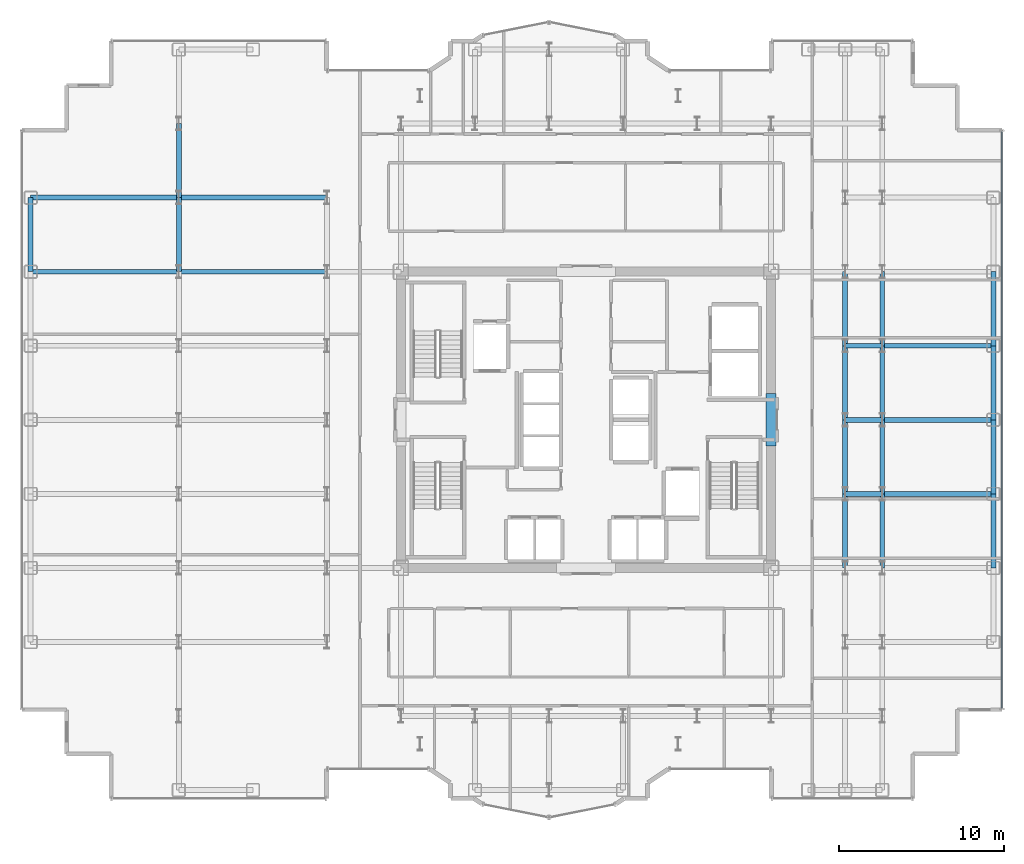
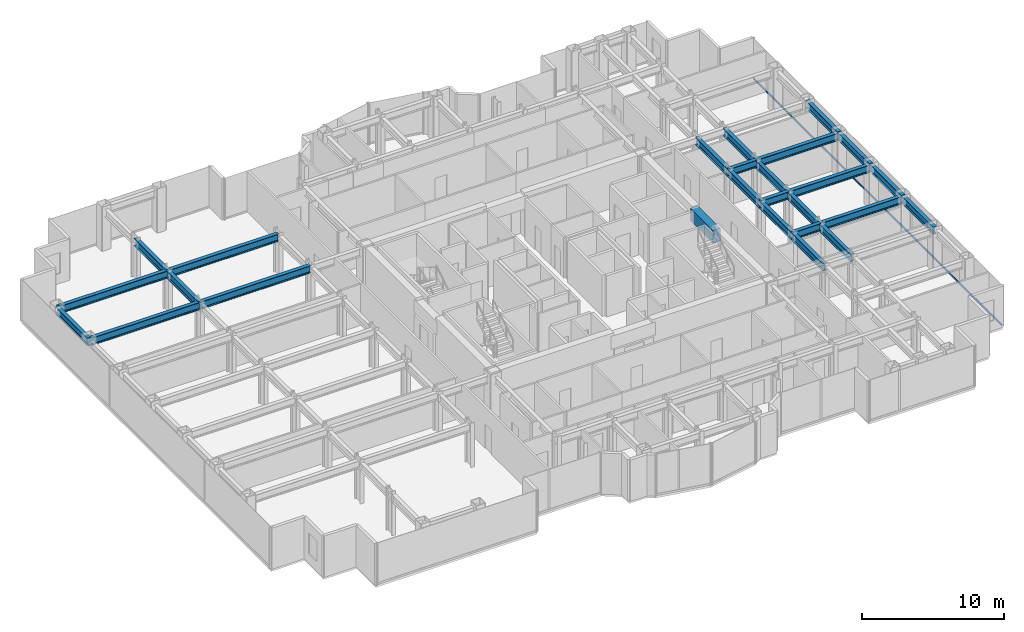
# One storey, part 9 of 23: 26 beams, 1 member, 1 element without a shape of its own.
"""IFC4 building model written with IfcOpenShell, lengths in metres."""

from ifc_helpers import new_model, si_unit, direction, frame, origin, origin_2d, place, context, subcontext, project, spatial, rectangle, hollow_rectangle, i_section, extrude, source, transform, mapped, material, layer, layer_set, material_profile, profile_set, type_object, element, aggregate, save


model = new_model("IFC4")

# Units and contexts
model_context = context("Model", 3, precision=1e-05, world=origin(), true_north=direction((0.0, 1.0)))
body_context = subcontext(model_context, "Body", "Model", "MODEL_VIEW")
ifc_project = project(units=[si_unit("LENGTHUNIT", "METRE"), si_unit("AREAUNIT", "SQUARE_METRE"), si_unit("VOLUMEUNIT", "CUBIC_METRE"), si_unit("PLANEANGLEUNIT", "RADIAN"), si_unit("MASSUNIT", "GRAM", prefix="KILO")], contexts=[model_context])

# Site, building, storey
site_placement = place(None, origin())
site = spatial("IfcSite", under=ifc_project, at=site_placement, CompositionType="ELEMENT")
building_placement = place(site_placement, origin())
building = spatial("IfcBuilding", under=site, at=building_placement, Name="Nefas-Gora Pilgrimage Tower", CompositionType="ELEMENT")
storey_placement = place(building_placement, frame((0.0, 0.0, 152.60009765625)))
storey = spatial("IfcBuildingStorey", under=building, at=storey_placement, Name="L37", CompositionType="ELEMENT", Elevation=152.60009765625)

# Beams
ifc_material_1 = material(Name="Concrete C60/75", Category="concrete")
ifc_material_profile_1 = material_profile(ifc_material_1, rectangle(XDim=0.60009765625, YDim=1.10009765625, at=origin_2d()), Name="RC 600x1100")
ifc_profile_set_1 = profile_set([ifc_material_profile_1], Name="Concrete C60/75")
beam_type_1 = type_object("IfcBeamType", Name="BM-LIN-RC1100", PredefinedType="LINTEL", material=ifc_profile_set_1)
shared_shape_1 = source(origin(), body_context, "Body", "SweptSolid", [
    extrude(rectangle(XDim=0.60009765625, YDim=1.10009765625, at=origin_2d()), origin(), (0.0, 0.0, 1.0), 3.2001953125),
])
beam_placement = place(storey_placement, frame((11.25, -1.60009765625, 3.0), z_axis=(0.0, 1.0, 0.0), x_axis=(-1.0, 0.0, 0.0)))
element("IfcBeam", 1, at=beam_placement, inside=storey, type_object=beam_type_1, Name="L37 Core Coupling Lintel Beam E", PredefinedType="LINTEL", context=body_context, shape_type="MappedRepresentation", body=[
    mapped(shared_shape_1, transform((0.0, 0.0, 0.0), x_axis=(1.0, 0.0, 0.0), y_axis=(0.0, 1.0, 0.0), z_axis=(0.0, 0.0, 1.0), scale=1.0)),
])
ifc_material_2 = material(Name="Steel S355", Category="steel")
ifc_material_profile_2 = material_profile(ifc_material_2, i_section(OverallWidth=0.300048828125, OverallDepth=0.64990234375, WebThickness=0.01611328125, FlangeThickness=0.031005859375, FilletRadius=0.027099609375, at=origin_2d()), Name="HEB 650")
ifc_profile_set_2 = profile_set([ifc_material_profile_2], Name="Steel S355")
beam_type_2 = type_object("IfcBeamType", Name="BM-SPN-HEB500", PredefinedType="SPANDREL", material=ifc_profile_set_2)
shared_shape_2 = source(origin(), body_context, "Body", "SweptSolid", [
    extrude(i_section(OverallWidth=0.300048828125, OverallDepth=0.64990234375, WebThickness=0.01611328125, FlangeThickness=0.031005859375, FilletRadius=0.027099609375, at=origin_2d()), origin(), (0.0, 0.0, 1.0), 4.5),
])
for number, where, z_axis, x_axis, name in (
    (2, (-33.75, 9.0, 3.224853515625), (0.0, 1.0, 0.0), (-1.0, 0.0, 0.0), "L37 SP-02 beam"),
    (3, (24.75, -9.0, 3.224853515625), (0.0, 1.0, 0.0), (-1.0, 0.0, 0.0), "L37 SP-02 beam"),
    (4, (24.75, -4.5, 3.224853515625), (0.0, 1.0, 0.0), (-1.0, 0.0, 0.0), "L37 SP-02 beam"),
    (5, (24.75, 0.0, 3.224853515625), (0.0, 1.0, 0.0), (-1.0, 0.0, 0.0), "L37 SP-02 beam"),
    (6, (24.75, 4.5, 3.224853515625), (0.0, 1.0, 0.0), (-1.0, 0.0, 0.0), "L37 SP-02 beam"),
):
    element("IfcBeam", number, at=place(storey_placement, frame(where, z_axis=z_axis, x_axis=x_axis)), inside=storey, type_object=beam_type_2, Name=name, PredefinedType="SPANDREL", context=body_context, shape_type="MappedRepresentation", body=[
        mapped(shared_shape_2, transform((0.0, 0.0, 0.0), x_axis=(1.0, 0.0, 0.0), y_axis=(0.0, 1.0, 0.0), z_axis=(0.0, 0.0, 1.0), scale=1.0)),
    ])
ifc_material_profile_3 = material_profile(ifc_material_2, i_section(OverallWidth=0.300048828125, OverallDepth=0.64990234375, WebThickness=0.01611328125, FlangeThickness=0.031005859375, FilletRadius=0.027099609375, at=origin_2d()), Name="HEB 650")
ifc_profile_set_3 = profile_set([ifc_material_profile_3], Name="Steel S355")
beam_type_3 = type_object("IfcBeamType", Name="BM-GIR-HEB650", PredefinedType="BEAM", material=ifc_profile_set_3)
shared_shape_3 = source(origin(), body_context, "Body", "SweptSolid", [
    extrude(i_section(OverallWidth=0.300048828125, OverallDepth=0.64990234375, WebThickness=0.01611328125, FlangeThickness=0.031005859375, FilletRadius=0.027099609375, at=origin_2d()), origin(), (0.0, 0.0, 1.0), 9.0),
])
for number, where, z_axis, x_axis, name in (
    (7, (-33.75, 9.0, 3.224853515625), (1.0, 0.0, 0.0), (0.0, 1.0, 0.0), "L37 G-03 beam"),
    (8, (-33.75, 13.5, 3.224853515625), (1.0, 0.0, 0.0), (0.0, 1.0, 0.0), "L37 G-03 beam"),
    (9, (-24.75, 9.0, 3.224853515625), (1.0, 0.0, 0.0), (0.0, 1.0, 0.0), "L37 G-03 beam"),
    (10, (-24.75, 13.5, 3.224853515625), (1.0, 0.0, 0.0), (0.0, 1.0, 0.0), "L37 G-03 beam"),
):
    element("IfcBeam", number, at=place(storey_placement, frame(where, z_axis=z_axis, x_axis=x_axis)), inside=storey, type_object=beam_type_3, Name=name, PredefinedType="BEAM", context=body_context, shape_type="MappedRepresentation", body=[
        mapped(shared_shape_3, transform((0.0, 0.0, 0.0), x_axis=(1.0, 0.0, 0.0), y_axis=(0.0, 1.0, 0.0), z_axis=(0.0, 0.0, 1.0), scale=1.0)),
    ])
shared_shape_4 = source(origin(), body_context, "Body", "SweptSolid", [
    extrude(i_section(OverallWidth=0.300048828125, OverallDepth=0.64990234375, WebThickness=0.01611328125, FlangeThickness=0.031005859375, FilletRadius=0.027099609375, at=origin_2d()), origin(), (0.0, 0.0, 1.0), 4.5),
])
for number, where, z_axis, x_axis, name in (
    (11, (-24.75, 9.0, 3.224853515625), (0.0, 1.0, 0.0), (-1.0, 0.0, 0.0), "L37 G-03 beam"),
    (12, (-24.75, 13.5, 3.224853515625), (0.0, 1.0, 0.0), (-1.0, 0.0, 0.0), "L37 G-03 beam"),
    (13, (15.75, -9.0, 3.224853515625), (0.0, 1.0, 0.0), (-1.0, 0.0, 0.0), "L37 G-03 beam"),
    (14, (15.75, -4.5, 3.224853515625), (0.0, 1.0, 0.0), (-1.0, 0.0, 0.0), "L37 G-03 beam"),
    (15, (15.75, 0.0, 3.224853515625), (0.0, 1.0, 0.0), (-1.0, 0.0, 0.0), "L37 G-03 beam"),
    (16, (15.75, 4.5, 3.224853515625), (0.0, 1.0, 0.0), (-1.0, 0.0, 0.0), "L37 G-03 beam"),
    (17, (18.0, -9.0, 3.224853515625), (0.0, 1.0, 0.0), (-1.0, 0.0, 0.0), "L37 G-03 beam"),
    (18, (18.0, -4.5, 3.224853515625), (0.0, 1.0, 0.0), (-1.0, 0.0, 0.0), "L37 G-03 beam"),
    (19, (18.0, 0.0, 3.224853515625), (0.0, 1.0, 0.0), (-1.0, 0.0, 0.0), "L37 G-03 beam"),
    (20, (18.0, 4.5, 3.224853515625), (0.0, 1.0, 0.0), (-1.0, 0.0, 0.0), "L37 G-03 beam"),
):
    element("IfcBeam", number, at=place(storey_placement, frame(where, z_axis=z_axis, x_axis=x_axis)), inside=storey, type_object=beam_type_3, Name=name, PredefinedType="BEAM", context=body_context, shape_type="MappedRepresentation", body=[
        mapped(shared_shape_4, transform((0.0, 0.0, 0.0), x_axis=(1.0, 0.0, 0.0), y_axis=(0.0, 1.0, 0.0), z_axis=(0.0, 0.0, 1.0), scale=1.0)),
    ])
shared_shape_5 = source(origin(), body_context, "Body", "SweptSolid", [
    extrude(i_section(OverallWidth=0.300048828125, OverallDepth=0.64990234375, WebThickness=0.01611328125, FlangeThickness=0.031005859375, FilletRadius=0.027099609375, at=origin_2d()), origin(), (0.0, 0.0, 1.0), 6.75),
])
for number, where, z_axis, x_axis, name in (
    (21, (18.0, -4.5, 3.224853515625), (1.0, 0.0, 0.0), (0.0, 1.0, 0.0), "L37 G-03 beam"),
    (22, (18.0, 0.0, 3.224853515625), (1.0, 0.0, 0.0), (0.0, 1.0, 0.0), "L37 G-03 beam"),
    (23, (18.0, 4.5, 3.224853515625), (1.0, 0.0, 0.0), (0.0, 1.0, 0.0), "L37 G-03 beam"),
):
    element("IfcBeam", number, at=place(storey_placement, frame(where, z_axis=z_axis, x_axis=x_axis)), inside=storey, type_object=beam_type_3, Name=name, PredefinedType="BEAM", context=body_context, shape_type="MappedRepresentation", body=[
        mapped(shared_shape_5, transform((0.0, 0.0, 0.0), x_axis=(1.0, 0.0, 0.0), y_axis=(0.0, 1.0, 0.0), z_axis=(0.0, 0.0, 1.0), scale=1.0)),
    ])
shared_shape_6 = source(origin(), body_context, "Body", "SweptSolid", [
    extrude(i_section(OverallWidth=0.300048828125, OverallDepth=0.64990234375, WebThickness=0.01611328125, FlangeThickness=0.031005859375, FilletRadius=0.027099609375, at=origin_2d()), origin(), (0.0, 0.0, 1.0), 2.25),
])
for number, where, z_axis, x_axis, name in (
    (24, (15.75, -4.5, 3.224853515625), (1.0, 0.0, 0.0), (0.0, 1.0, 0.0), "L37 G-03 beam"),
    (25, (15.75, 0.0, 3.224853515625), (1.0, 0.0, 0.0), (0.0, 1.0, 0.0), "L37 G-03 beam"),
    (26, (15.75, 4.5, 3.224853515625), (1.0, 0.0, 0.0), (0.0, 1.0, 0.0), "L37 G-03 beam"),
):
    element("IfcBeam", number, at=place(storey_placement, frame(where, z_axis=z_axis, x_axis=x_axis)), inside=storey, type_object=beam_type_3, Name=name, PredefinedType="BEAM", context=body_context, shape_type="MappedRepresentation", body=[
        mapped(shared_shape_6, transform((0.0, 0.0, 0.0), x_axis=(1.0, 0.0, 0.0), y_axis=(0.0, 1.0, 0.0), z_axis=(0.0, 0.0, 1.0), scale=1.0)),
    ])

# Curtain wall, member
ifc_material_3 = material(Name="Dark ceramic-fritted solar-control aluminium-glass curtain wall", Category="aluminium")
ifc_layer = layer(ifc_material_3, 0.219970703125)
ifc_layer_set = layer_set([ifc_layer], Name="Dark ceramic-fritted solar-control aluminium-glass curtain wall")
curtain_wall_type = type_object("IfcCurtainWallType", Name="CW-SYS-3", PredefinedType="NOTDEFINED", material=ifc_layer_set)
curtain_wall_placement = place(storey_placement, origin())
curtain_wall = element("IfcCurtainWall", 27, at=curtain_wall_placement, inside=storey, type_object=curtain_wall_type, Name="L37 Unitised Curtain Wall CW3", PredefinedType="NOTDEFINED")
ifc_material_4 = material(Name="Anodised architectural aluminium", Category="aluminium")
ifc_material_profile_4 = material_profile(ifc_material_4, hollow_rectangle(XDim=0.080078125, YDim=0.159912109375, WallThickness=0.00439453125, InnerFilletRadius=0.00439453125, OuterFilletRadius=0.009033203125, at=origin_2d()), Name="ALU TRANSOM 80x160")
ifc_profile_set_4 = profile_set([ifc_material_profile_4], Name="Anodised architectural aluminium")
member_type = type_object("IfcMemberType", Name="CWM-TRN-3", PredefinedType="USERDEFINED", material=ifc_profile_set_4)
shared_shape_7 = source(origin(), body_context, "Body", "SweptSolid", [
    extrude(hollow_rectangle(XDim=0.080078125, YDim=0.159912109375, WallThickness=0.00439453125, InnerFilletRadius=0.00439453125, OuterFilletRadius=0.009033203125, at=origin_2d()), origin(), (0.0, 0.0, 1.0), 35.06005859375),
])
member_placement = place(storey_placement, frame((25.27001953125, -17.530029296875, 0.0498046875), z_axis=(0.0, 1.0, 0.0), x_axis=(-1.0, 0.0, 0.0)))
member = element("IfcMember", 28, at=member_placement, type_object=member_type, Name="CW3 Spandrel Transom", ObjectType="TRANSOM", PredefinedType="USERDEFINED", context=body_context, shape_type="MappedRepresentation", body=[
    mapped(shared_shape_7, transform((0.0, 0.0, 0.0), x_axis=(1.0, 0.0, 0.0), y_axis=(0.0, 1.0, 0.0), z_axis=(0.0, 0.0, 1.0), scale=1.0)),
])
aggregate(curtain_wall, [member])

save(model, "model.ifc")
